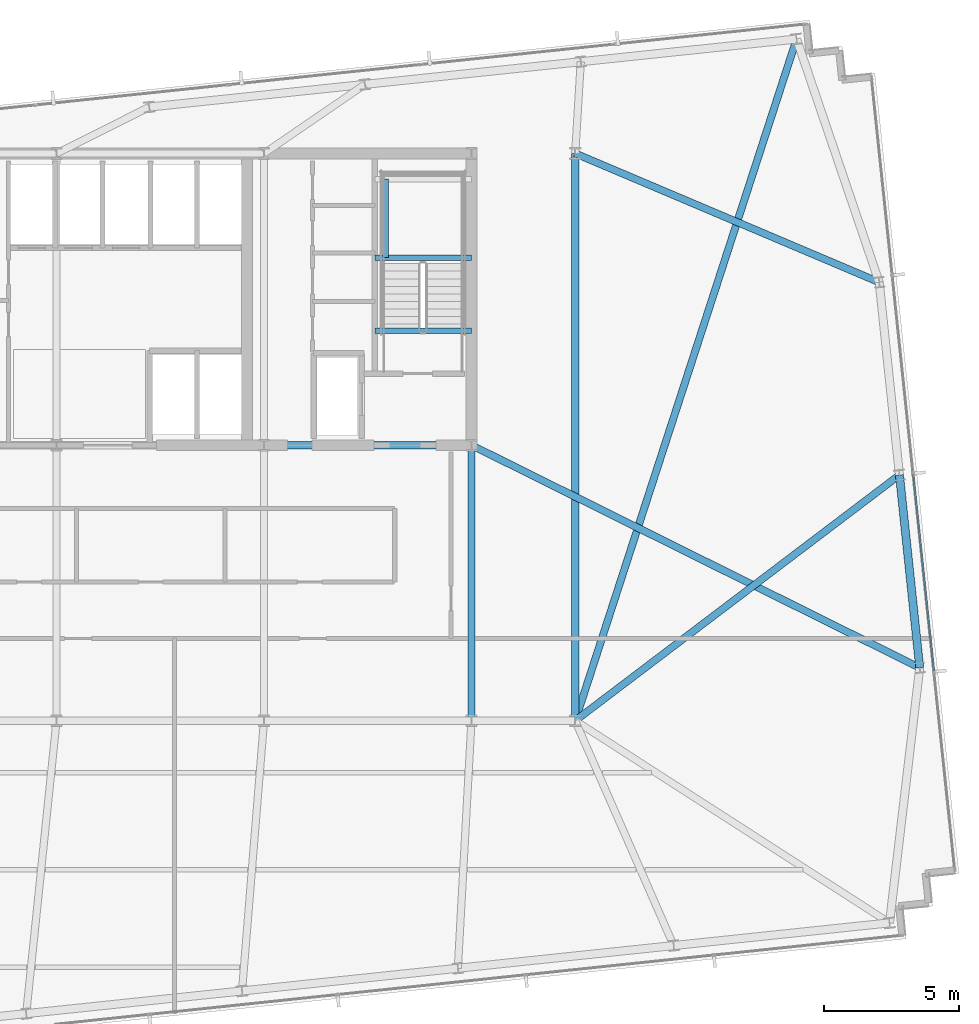
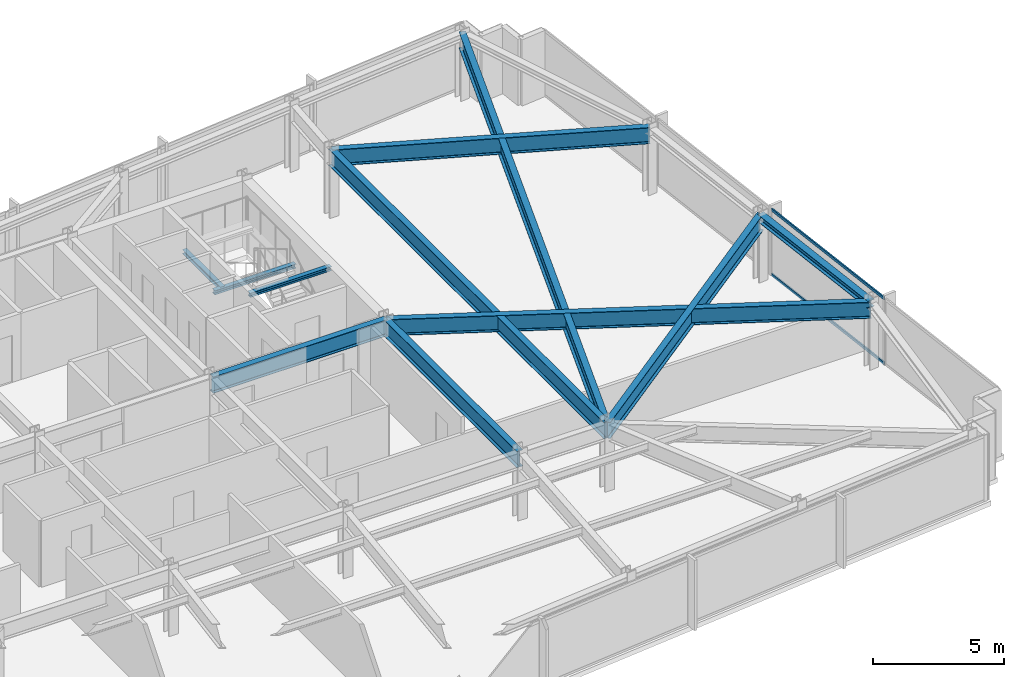
# One storey, part 18 of 32: 11 beams, 2 members, 1 element without a shape of its own.
"""IFC4 building model written with IfcOpenShell, lengths in metres."""

from ifc_helpers import new_model, si_unit, direction, frame, origin, origin_2d, place, context, subcontext, project, spatial, hollow_rectangle, i_section, extrude, material, material_profile, profile_set, type_object, element, aggregate, save


model = new_model("IFC4")

# Units and contexts
model_context = context("Model", 3, precision=1e-05, world=origin(), true_north=direction((0.0, 1.0)))
body_context = subcontext(model_context, "Body", "Model", "MODEL_VIEW")
ifc_project = project(units=[si_unit("LENGTHUNIT", "METRE"), si_unit("AREAUNIT", "SQUARE_METRE"), si_unit("VOLUMEUNIT", "CUBIC_METRE"), si_unit("PLANEANGLEUNIT", "RADIAN"), si_unit("MASSUNIT", "GRAM", prefix="KILO")], contexts=[model_context])

# Site, building, storey
site_placement = place(None, origin())
site = spatial("IfcSite", under=ifc_project, at=site_placement, CompositionType="ELEMENT")
building_placement = place(site_placement, origin())
building = spatial("IfcBuilding", under=site, at=building_placement, Name="Yelkora Congress Tower", CompositionType="ELEMENT")
storey_placement = place(building_placement, frame((0.0, 0.0, 207.800048828125)))
storey = spatial("IfcBuildingStorey", under=building, at=storey_placement, Name="L57", CompositionType="ELEMENT", Elevation=207.800048828125)

# Beams
ifc_material_1 = material(Name="Steel S355J2", Category="steel")
ifc_material_profile_1 = material_profile(ifc_material_1, i_section(OverallWidth=0.26708984375, OverallDepth=0.761962890625, WebThickness=0.014404296875, FlangeThickness=0.021484375, FilletRadius=0.01708984375, at=origin_2d()), Name="IPE 750x173")
ifc_profile_set_1 = profile_set([ifc_material_profile_1], Name="Steel S355J2")
beam_type_1 = type_object("IfcBeamType", Name="BM-GIRD-IPE750", PredefinedType="BEAM", material=ifc_profile_set_1)
beam_1_placement = place(storey_placement, frame((46.080078125, 35.39990234375, 2.698974609375), z_axis=(1.0, 0.0, 0.0), x_axis=(0.0, 1.0, 0.0)))
element("IfcBeam", 1, at=beam_1_placement, inside=storey, type_object=beam_type_1, Name="L57 Core South Girder 4", PredefinedType="BEAM", context=body_context, shape_type="SweptSolid", body=[
    extrude(i_section(OverallWidth=0.26708984375, OverallDepth=0.761962890625, WebThickness=0.014404296875, FlangeThickness=0.021484375, FilletRadius=0.01708984375, at=origin_2d()), origin(), (0.0, 0.0, 1.0), 7.679931640625),
])
beam_2_placement = place(storey_placement, frame((53.760009765625, 25.199951171875, 2.698974609375), z_axis=(0.0, 1.0, 0.0), x_axis=(-1.0, 0.0, 0.0)))
element("IfcBeam", 2, at=beam_2_placement, inside=storey, type_object=beam_type_1, Name="L57 Core Tie Girder MC-D5", PredefinedType="BEAM", context=body_context, shape_type="SweptSolid", body=[
    extrude(i_section(OverallWidth=0.26708984375, OverallDepth=0.761962890625, WebThickness=0.014404296875, FlangeThickness=0.021484375, FilletRadius=0.01708984375, at=origin_2d()), origin(), (0.0, 0.0, 1.0), 10.199951171875),
])
beam_3_placement = place(storey_placement, frame((57.60009765625, 25.199951171875, 2.698974609375), z_axis=(0.0, 1.0, 0.0), x_axis=(-1.0, 0.0, 0.0)))
element("IfcBeam", 3, at=beam_3_placement, inside=storey, type_object=beam_type_1, Name="L57 Neck Flank Girder MC-F2", PredefinedType="BEAM", context=body_context, shape_type="SweptSolid", body=[
    extrude(i_section(OverallWidth=0.26708984375, OverallDepth=0.761962890625, WebThickness=0.014404296875, FlangeThickness=0.021484375, FilletRadius=0.01708984375, at=origin_2d()), origin(), (0.0, 0.0, 1.0), 21.0),
])
beam_4_placement = place(storey_placement, frame((65.7958984375, 50.4365234375, 2.698974609375), z_axis=(-0.308878638672, -0.951101459663, 0.0), x_axis=(0.951101459663, -0.308878638672, 0.0)))
element("IfcBeam", 4, at=beam_4_placement, inside=storey, type_object=beam_type_1, Name="L57 Primary Frame Girder N07", PredefinedType="BEAM", context=body_context, shape_type="SweptSolid", body=[
    extrude(i_section(OverallWidth=0.26708984375, OverallDepth=0.761962890625, WebThickness=0.014404296875, FlangeThickness=0.021484375, FilletRadius=0.01708984375, at=origin_2d()), origin(), (0.0, 0.0, 1.0), 26.533935546875),
])
beam_5_placement = place(storey_placement, frame((70.35400390625, 27.160400390625, 2.698974609375), z_axis=(-0.895665070913, 0.444729221826, 0.0), x_axis=(-0.444729221826, -0.895665070913, 0.0)))
element("IfcBeam", 5, at=beam_5_placement, inside=storey, type_object=beam_type_1, Name="L57 Primary Frame Girder E01", PredefinedType="BEAM", context=body_context, shape_type="SweptSolid", body=[
    extrude(i_section(OverallWidth=0.26708984375, OverallDepth=0.761962890625, WebThickness=0.014404296875, FlangeThickness=0.021484375, FilletRadius=0.01708984375, at=origin_2d()), origin(), (0.0, 0.0, 1.0), 18.527099609375),
])
beam_6_placement = place(storey_placement, frame((69.60400390625, 34.296142578125, 2.698974609375), z_axis=(-0.797017901034, -0.603955681678, 0.0), x_axis=(0.603955681678, -0.797017901034, 0.0)))
element("IfcBeam", 6, at=beam_6_placement, inside=storey, type_object=beam_type_1, Name="L57 Primary Frame Girder E02", PredefinedType="BEAM", context=body_context, shape_type="SweptSolid", body=[
    extrude(i_section(OverallWidth=0.26708984375, OverallDepth=0.761962890625, WebThickness=0.014404296875, FlangeThickness=0.021484375, FilletRadius=0.01708984375, at=origin_2d()), origin(), (0.0, 0.0, 1.0), 15.06103515625),
])
beam_7_placement = place(storey_placement, frame((68.85400390625, 41.431884765625, 2.698974609375), z_axis=(-0.920767530621, 0.390111720606, 0.0), x_axis=(-0.390111720606, -0.920767530621, 0.0)))
element("IfcBeam", 7, at=beam_7_placement, inside=storey, type_object=beam_type_1, Name="L57 Primary Frame Girder E03", PredefinedType="BEAM", context=body_context, shape_type="SweptSolid", body=[
    extrude(i_section(OverallWidth=0.26708984375, OverallDepth=0.761962890625, WebThickness=0.014404296875, FlangeThickness=0.021484375, FilletRadius=0.01708984375, at=origin_2d()), origin(), (0.0, 0.0, 1.0), 12.222412109375),
])
ifc_material_profile_2 = material_profile(ifc_material_1, i_section(OverallWidth=0.199951171875, OverallDepth=0.18994140625, WebThickness=0.006591796875, FlangeThickness=0.010009765625, FilletRadius=0.01806640625, at=origin_2d()), Name="HEA 200")
ifc_profile_set_2 = profile_set([ifc_material_profile_2], Name="Steel S355J2")
beam_type_2 = type_object("IfcBeamType", Name="BM-LAND-HEA200", PredefinedType="BEAM", material=ifc_profile_set_2)
beam_8_placement = place(storey_placement, frame((50.179931640625, 42.340087890625, 1.33447265625), z_axis=(1.0, 0.0, 0.0), x_axis=(0.0, 1.0, 0.0)))
element("IfcBeam", 8, at=beam_8_placement, inside=storey, type_object=beam_type_2, Name="ST-02 L57 Landing Header Beam 1S", PredefinedType="BEAM", context=body_context, shape_type="SweptSolid", body=[
    extrude(i_section(OverallWidth=0.199951171875, OverallDepth=0.18994140625, WebThickness=0.006591796875, FlangeThickness=0.010009765625, FilletRadius=0.01806640625, at=origin_2d()), origin(), (0.0, 0.0, 1.0), 3.580078125),
])
beam_9_placement = place(storey_placement, frame((50.580078125, 42.340087890625, 1.33447265625), z_axis=(0.0, 1.0, 0.0), x_axis=(-1.0, 0.0, 0.0)))
element("IfcBeam", 9, at=beam_9_placement, inside=storey, type_object=beam_type_2, Name="ST-02 L57 Landing Trimmer Beam 1M", PredefinedType="BEAM", context=body_context, shape_type="SweptSolid", body=[
    extrude(i_section(OverallWidth=0.199951171875, OverallDepth=0.18994140625, WebThickness=0.006591796875, FlangeThickness=0.010009765625, FilletRadius=0.01806640625, at=origin_2d()), origin(), (0.0, 0.0, 1.0), 2.909912109375),
])
beam_10_placement = place(storey_placement, frame((50.179931640625, 39.639892578125, 2.853759765625), z_axis=(1.0, 0.0, 0.0), x_axis=(0.0, 1.0, 0.0)))
element("IfcBeam", 10, at=beam_10_placement, inside=storey, type_object=beam_type_2, Name="ST-02 L57 Floor Arrival Stringer Header Beam", PredefinedType="BEAM", context=body_context, shape_type="SweptSolid", body=[
    extrude(i_section(OverallWidth=0.199951171875, OverallDepth=0.18994140625, WebThickness=0.006591796875, FlangeThickness=0.010009765625, FilletRadius=0.01806640625, at=origin_2d()), origin(), (0.0, 0.0, 1.0), 3.580078125),
])
ifc_material_profile_3 = material_profile(ifc_material_1, i_section(OverallWidth=0.300048828125, OverallDepth=0.340087890625, WebThickness=0.011962890625, FlangeThickness=0.021484375, FilletRadius=0.027099609375, at=origin_2d()), Name="HEB 340")
ifc_profile_set_3 = profile_set([ifc_material_profile_3], Name="Steel S355J2")
beam_type_3 = type_object("IfcBeamType", Name="BM-SPAN-HEB340", PredefinedType="SPANDREL", material=ifc_profile_set_3)
beam_11_placement = place(storey_placement, frame((70.35400390625, 27.160400390625, 2.909912109375), z_axis=(-0.104528914631, 0.994521847928, 0.0), x_axis=(-0.994521847928, -0.104528914631, 0.0)))
element("IfcBeam", 11, at=beam_11_placement, inside=storey, type_object=beam_type_3, Name="L57 Perimeter Beam 10", PredefinedType="SPANDREL", context=body_context, shape_type="SweptSolid", body=[
    extrude(i_section(OverallWidth=0.300048828125, OverallDepth=0.340087890625, WebThickness=0.011962890625, FlangeThickness=0.021484375, FilletRadius=0.027099609375, at=origin_2d()), origin(), (0.0, 0.0, 1.0), 7.175048828125),
])

# Curtain wall, members
ifc_material_2 = material(Name="Anodised aluminium and insulated glass", Category="aluminium")
curtain_wall_type = type_object("IfcCurtainWallType", Name="CW-SYS-B4", PredefinedType="NOTDEFINED", material=ifc_material_2)
curtain_wall_placement = place(storey_placement, origin())
curtain_wall = element("IfcCurtainWall", 12, at=curtain_wall_placement, inside=storey, type_object=curtain_wall_type, Name="L57 Unitised Curtain Wall 15", PredefinedType="NOTDEFINED")
ifc_material_3 = material(Name="Anodised aluminium 6063-T6", Category="aluminium")
ifc_material_profile_4 = material_profile(ifc_material_3, hollow_rectangle(XDim=0.06005859375, YDim=0.1298828125, WallThickness=0.00390625, at=origin_2d()), Name="ALU 60x130x4")
ifc_profile_set_4 = profile_set([ifc_material_profile_4], Name="Anodised aluminium 6063-T6")
member_type = type_object("IfcMemberType", Name="MEM-TR-B4", PredefinedType="USERDEFINED", material=ifc_profile_set_4)
member_1_placement = place(storey_placement, frame((70.114501953125, 34.317138671875, 0.030029296875), z_axis=(0.104531896307, -0.994521534535, 0.0), x_axis=(0.994521534535, 0.104531896307, 0.0)))
member_1 = element("IfcMember", 13, at=member_1_placement, type_object=member_type, Name="CW-B4 transom 3.1", ObjectType="TRANSOM", PredefinedType="USERDEFINED", context=body_context, shape_type="SweptSolid", body=[
    extrude(hollow_rectangle(XDim=0.06005859375, YDim=0.1298828125, WallThickness=0.00390625, at=origin_2d()), origin(), (0.0, 0.0, 1.0), 7.31494140625),
])
member_2_placement = place(storey_placement, frame((70.114501953125, 34.317138671875, 3.050048828125), z_axis=(0.104531896307, -0.994521534535, 0.0), x_axis=(0.994521534535, 0.104531896307, 0.0)))
member_2 = element("IfcMember", 14, at=member_2_placement, type_object=member_type, Name="CW-B4 transom 3.2", ObjectType="TRANSOM", PredefinedType="USERDEFINED", context=body_context, shape_type="SweptSolid", body=[
    extrude(hollow_rectangle(XDim=0.06005859375, YDim=0.1298828125, WallThickness=0.00390625, at=origin_2d()), origin(), (0.0, 0.0, 1.0), 7.31494140625),
])
aggregate(curtain_wall, [member_1, member_2])

save(model, "model.ifc")
